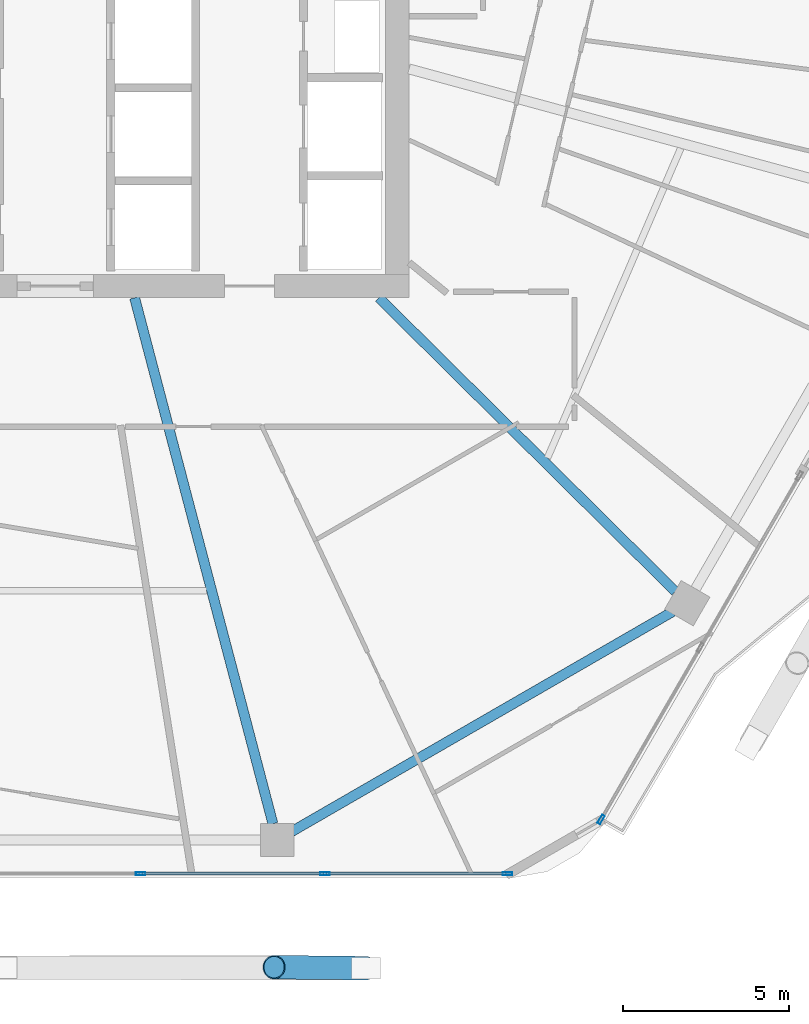
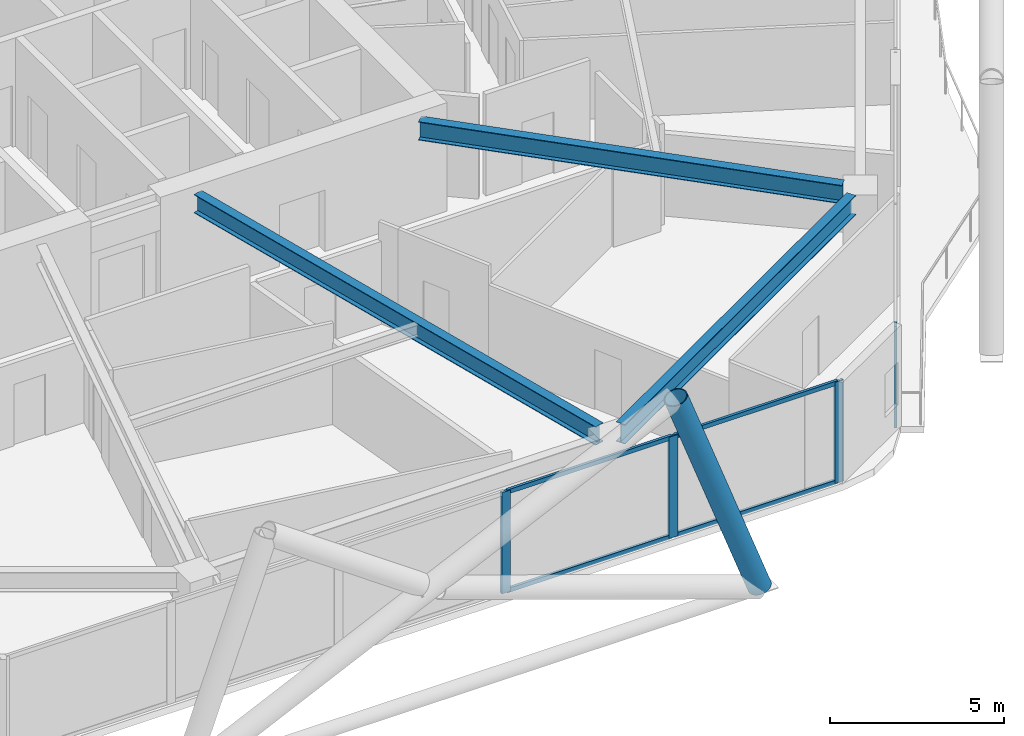
# One storey, part 8 of 30: 9 members, 3 beams, 2 elements without a shape of their own.
"""IFC4 building model written with IfcOpenShell, lengths in metres."""

from ifc_helpers import new_model, si_unit, direction, frame, origin, origin_2d, place, context, subcontext, project, spatial, hollow_rectangle, hollow_circle, i_section, extrude, material, material_profile, profile_set, type_object, element, aggregate, save


model = new_model("IFC4")

# Units and contexts
model_context = context("Model", 3, precision=1e-05, world=origin(), true_north=direction((0.0, 1.0)))
body_context = subcontext(model_context, "Body", "Model", "MODEL_VIEW")
ifc_project = project(units=[si_unit("LENGTHUNIT", "METRE"), si_unit("AREAUNIT", "SQUARE_METRE"), si_unit("VOLUMEUNIT", "CUBIC_METRE"), si_unit("PLANEANGLEUNIT", "RADIAN"), si_unit("MASSUNIT", "GRAM", prefix="KILO")], contexts=[model_context])

# Site, building, storey
site_placement = place(None, origin())
site = spatial("IfcSite", under=ifc_project, at=site_placement, CompositionType="ELEMENT")
building_placement = place(site_placement, origin())
building = spatial("IfcBuilding", under=site, at=building_placement, Name="Zuhravey Tower", CompositionType="ELEMENT")
storey_placement = place(building_placement, frame((0.0, 0.0, 177.0)))
storey = spatial("IfcBuildingStorey", under=building, at=storey_placement, Name="L44", CompositionType="ELEMENT", Elevation=177.0)

# Curtain wall, member
ifc_material_1 = material(Name="Thermally broken anodised aluminium", Category="aluminium")
curtain_wall_type = type_object("IfcCurtainWallType", Name="Zone 1-2 Residential Curtain Wall CW3", PredefinedType="NOTDEFINED", material=ifc_material_1)
curtain_wall_1_placement = place(storey_placement, origin())
curtain_wall_1 = element("IfcCurtainWall", 1, at=curtain_wall_1_placement, inside=storey, type_object=curtain_wall_type, Name="L44 CW3 CW-L44-F6-2", PredefinedType="NOTDEFINED")
ifc_material_2 = material(Name="Anodised aluminium", Category="aluminium")
ifc_material_profile_1 = material_profile(ifc_material_2, hollow_rectangle(XDim=0.090087890625, YDim=0.284912109375, WallThickness=0.0048828125, at=origin_2d()), Name="ALU-RHS-90x285x5")
ifc_profile_set_1 = profile_set([ifc_material_profile_1], Name="Anodised aluminium")
member_type_1 = type_object("IfcMemberType", Name="Curtain-Wall Mullion 90x180", PredefinedType="MULLION", material=ifc_profile_set_1)
member_1_placement = place(storey_placement, frame((52.63330078125, 6.443359375, 0.0), z_axis=(0.0, 0.0, 1.0), x_axis=(0.866025921518, -0.499999103257, 0.0)))
member_1 = element("IfcMember", 2, at=member_1_placement, type_object=member_type_1, Name="CW3 mullion 3", PredefinedType="MULLION", context=body_context, shape_type="SweptSolid", body=[
    extrude(hollow_rectangle(XDim=0.090087890625, YDim=0.284912109375, WallThickness=0.0048828125, at=origin_2d()), origin(), (0.0, 0.0, 1.0), 3.550048828125),
])
aggregate(curtain_wall_1, [member_1])

# Curtain wall, members
curtain_wall_2_placement = place(storey_placement, origin())
curtain_wall_2 = element("IfcCurtainWall", 3, at=curtain_wall_2_placement, inside=storey, type_object=curtain_wall_type, Name="L44 CW3 CW-L44-F5-1", PredefinedType="NOTDEFINED")
member_2_placement = place(storey_placement, frame((49.816162109375, 4.81689453125, 0.0), z_axis=(0.0, 0.0, 1.0), x_axis=(0.0, -1.0, 0.0)))
member_2 = element("IfcMember", 4, at=member_2_placement, type_object=member_type_1, Name="CW3 mullion 1", PredefinedType="MULLION", context=body_context, shape_type="SweptSolid", body=[
    extrude(hollow_rectangle(XDim=0.090087890625, YDim=0.284912109375, WallThickness=0.0048828125, at=origin_2d()), origin(), (0.0, 0.0, 1.0), 3.550048828125),
])
member_3_placement = place(storey_placement, frame((44.316650390625, 4.81689453125, 0.0), z_axis=(0.0, 0.0, 1.0), x_axis=(0.0, -1.0, 0.0)))
member_3 = element("IfcMember", 5, at=member_3_placement, type_object=member_type_1, Name="CW3 mullion 2", PredefinedType="MULLION", context=body_context, shape_type="SweptSolid", body=[
    extrude(hollow_rectangle(XDim=0.090087890625, YDim=0.284912109375, WallThickness=0.0048828125, at=origin_2d()), origin(), (0.0, 0.0, 1.0), 3.550048828125),
])
member_4_placement = place(storey_placement, frame((38.772216796875, 4.81689453125, 0.0), z_axis=(0.0, 0.0, 1.0), x_axis=(0.0, -1.0, 0.0)))
member_4 = element("IfcMember", 6, at=member_4_placement, type_object=member_type_1, Name="CW3 mullion 3", PredefinedType="MULLION", context=body_context, shape_type="SweptSolid", body=[
    extrude(hollow_rectangle(XDim=0.090087890625, YDim=0.284912109375, WallThickness=0.0048828125, at=origin_2d()), origin(), (0.0, 0.0, 1.0), 3.550048828125),
])
ifc_material_profile_2 = material_profile(ifc_material_2, hollow_rectangle(XDim=0.090087890625, YDim=0.14990234375, WallThickness=0.0048828125, at=origin_2d()), Name="ALU-RHS-90x150x5")
ifc_profile_set_2 = profile_set([ifc_material_profile_2], Name="Anodised aluminium")
member_type_2 = type_object("IfcMemberType", Name="Curtain-Wall Transom 90x150", PredefinedType="USERDEFINED", material=ifc_profile_set_2)
member_5_placement = place(storey_placement, frame((49.77099609375, 4.81689453125, 0.044921875), z_axis=(-1.0, 0.0, 0.0), x_axis=(0.0, -1.0, 0.0)))
member_5 = element("IfcMember", 7, at=member_5_placement, type_object=member_type_2, Name="CW3 transom 1.1", ObjectType="TRANSOM", PredefinedType="USERDEFINED", context=body_context, shape_type="SweptSolid", body=[
    extrude(hollow_rectangle(XDim=0.090087890625, YDim=0.14990234375, WallThickness=0.0048828125, at=origin_2d()), origin(), (0.0, 0.0, 1.0), 5.409423828125),
])
member_6_placement = place(storey_placement, frame((49.77099609375, 4.81689453125, 3.5048828125), z_axis=(-1.0, 0.0, 0.0), x_axis=(0.0, -1.0, 0.0)))
member_6 = element("IfcMember", 8, at=member_6_placement, type_object=member_type_2, Name="CW3 transom 1.2", ObjectType="TRANSOM", PredefinedType="USERDEFINED", context=body_context, shape_type="SweptSolid", body=[
    extrude(hollow_rectangle(XDim=0.090087890625, YDim=0.14990234375, WallThickness=0.0048828125, at=origin_2d()), origin(), (0.0, 0.0, 1.0), 5.409423828125),
])
member_7_placement = place(storey_placement, frame((44.271728515625, 4.81689453125, 0.044921875), z_axis=(-1.0, 0.0, 0.0), x_axis=(0.0, -1.0, 0.0)))
member_7 = element("IfcMember", 9, at=member_7_placement, type_object=member_type_2, Name="CW3 transom 2.1", ObjectType="TRANSOM", PredefinedType="USERDEFINED", context=body_context, shape_type="SweptSolid", body=[
    extrude(hollow_rectangle(XDim=0.090087890625, YDim=0.14990234375, WallThickness=0.0048828125, at=origin_2d()), origin(), (0.0, 0.0, 1.0), 5.45458984375),
])
member_8_placement = place(storey_placement, frame((44.271728515625, 4.81689453125, 3.5048828125), z_axis=(-1.0, 0.0, 0.0), x_axis=(0.0, -1.0, 0.0)))
member_8 = element("IfcMember", 10, at=member_8_placement, type_object=member_type_2, Name="CW3 transom 2.2", ObjectType="TRANSOM", PredefinedType="USERDEFINED", context=body_context, shape_type="SweptSolid", body=[
    extrude(hollow_rectangle(XDim=0.090087890625, YDim=0.14990234375, WallThickness=0.0048828125, at=origin_2d()), origin(), (0.0, 0.0, 1.0), 5.45458984375),
])
aggregate(curtain_wall_2, [member_2, member_3, member_4, member_5, member_6, member_7, member_8])

# Member
ifc_material_3 = material(Name="Steel SM460", Category="steel")
ifc_material_profile_3 = material_profile(ifc_material_3, hollow_circle(Radius=0.355712890625, WallThickness=0.031982421875, at=origin_2d()), Name="CHS-711.2x32")
ifc_profile_set_3 = profile_set([ifc_material_profile_3], Name="Steel SM460")
member_type_3 = type_object("IfcMemberType", Name="Exoskeleton Zone 2 Diagrid CHS711x32", PredefinedType="BRACE", material=ifc_profile_set_3)
member_9_placement = place(storey_placement, frame((45.547607421875, 1.967041015625, -0.444091796875), z_axis=(-0.342856044852, 0.003700976595, 0.939380665801), x_axis=(-0.010793920789, -0.99994174394, 0.0)))
element("IfcMember", 11, at=member_9_placement, inside=storey, type_object=member_type_3, Name="L44 Face 5 Diagrid Brace 4", PredefinedType="BRACE", context=body_context, shape_type="SweptSolid", body=[
    extrude(hollow_circle(Radius=0.355712890625, WallThickness=0.031982421875, at=origin_2d()), origin(), (0.0, 0.0, 1.0), 8.0478515625),
])

# Beams
ifc_material_4 = material(Name="Steel SM355", Category="steel")
ifc_material_profile_4 = material_profile(ifc_material_4, i_section(OverallWidth=0.300048828125, OverallDepth=0.679931640625, WebThickness=0.012939453125, FlangeThickness=0.02197265625, at=origin_2d()), Name="H-680x300x13x22")
ifc_profile_set_4 = profile_set([ifc_material_profile_4], Name="Steel SM355")
beam_type_1 = type_object("IfcBeamType", Name="Perimeter Ring Beam H680x300", PredefinedType="BEAM", material=ifc_profile_set_4)
beam_1_placement = place(storey_placement, frame((43.317626953125, 6.078369140625, 3.2099609375), z_axis=(0.866022923061, 0.500004296715, 0.0), x_axis=(-0.500004296715, 0.866022923061, 0.0)))
element("IfcBeam", 12, at=beam_1_placement, inside=storey, type_object=beam_type_1, Name="L44 PB2 BM-L44-PB-10", PredefinedType="BEAM", context=body_context, shape_type="SweptSolid", body=[
    extrude(i_section(OverallWidth=0.300048828125, OverallDepth=0.679931640625, WebThickness=0.012939453125, FlangeThickness=0.02197265625, at=origin_2d()), origin(), (0.0, 0.0, 1.0), 13.2470703125),
])
ifc_material_profile_5 = material_profile(ifc_material_4, i_section(OverallWidth=0.300048828125, OverallDepth=0.64990234375, WebThickness=0.012939453125, FlangeThickness=0.02197265625, at=origin_2d()), Name="H-650x300x13x22")
ifc_profile_set_5 = profile_set([ifc_material_profile_5], Name="Steel SM355")
beam_type_2 = type_object("IfcBeamType", Name="Radial Primary Girder H650x300", PredefinedType="BEAM", material=ifc_profile_set_5)
beam_2_placement = place(storey_placement, frame((38.5908203125, 22.14697265625, 3.22509765625), z_axis=(0.254300244998, -0.967125320418, 0.0), x_axis=(0.967125320418, 0.254300244998, 0.0)))
element("IfcBeam", 13, at=beam_2_placement, inside=storey, type_object=beam_type_2, Name="L44 RG2 BM-L44-RAD-10", PredefinedType="BEAM", context=body_context, shape_type="SweptSolid", body=[
    extrude(i_section(OverallWidth=0.300048828125, OverallDepth=0.64990234375, WebThickness=0.012939453125, FlangeThickness=0.02197265625, at=origin_2d()), origin(), (0.0, 0.0, 1.0), 16.371826171875),
])
beam_3_placement = place(storey_placement, frame((45.945556640625, 22.14697265625, 3.22509765625), z_axis=(0.71040353357, -0.703794586148, 0.0), x_axis=(0.703794586148, 0.71040353357, 0.0)))
element("IfcBeam", 14, at=beam_3_placement, inside=storey, type_object=beam_type_2, Name="L44 RG2 BM-L44-RAD-11", PredefinedType="BEAM", context=body_context, shape_type="SweptSolid", body=[
    extrude(i_section(OverallWidth=0.300048828125, OverallDepth=0.64990234375, WebThickness=0.012939453125, FlangeThickness=0.02197265625, at=origin_2d()), origin(), (0.0, 0.0, 1.0), 12.559814453125),
])

save(model, "model.ifc")
